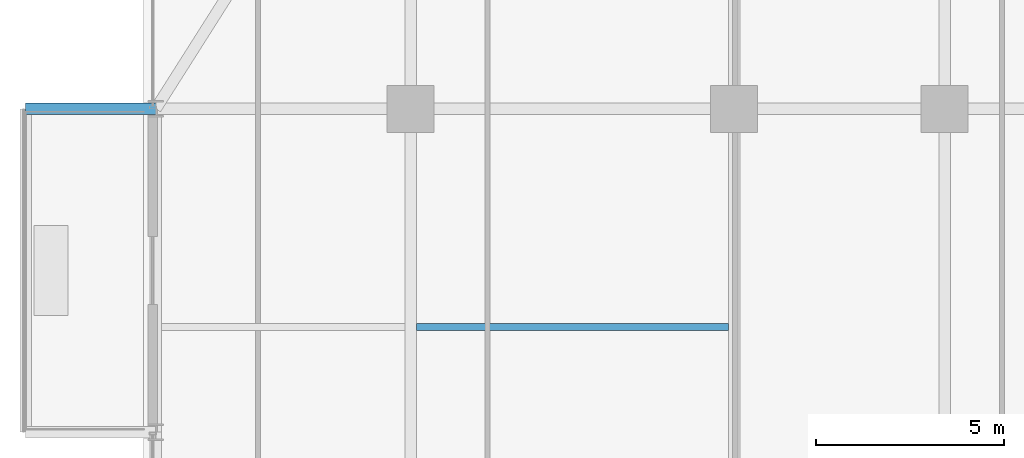
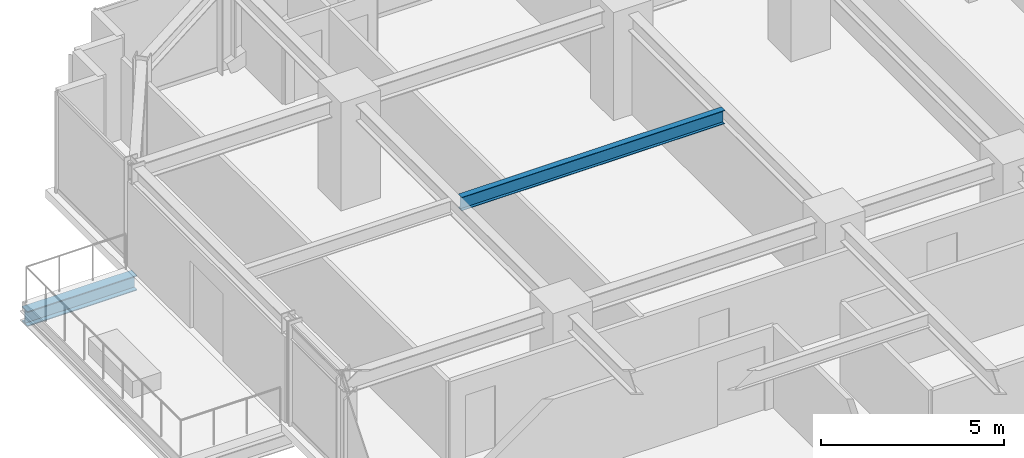
# One storey, part 17 of 39: 2 beams.
"""IFC4 building model written with IfcOpenShell, lengths in metres."""

from ifc_helpers import new_model, si_unit, direction, frame, origin, origin_2d, place, context, subcontext, project, spatial, i_section, extrude, source, transform, mapped, material, material_profile, profile_set, type_object, element, save


model = new_model("IFC4")

# Units and contexts
model_context = context("Model", 3, precision=1e-05, world=origin(), true_north=direction((0.0, 1.0)))
body_context = subcontext(model_context, "Body", "Model", "MODEL_VIEW")
ifc_project = project(units=[si_unit("LENGTHUNIT", "METRE"), si_unit("AREAUNIT", "SQUARE_METRE"), si_unit("VOLUMEUNIT", "CUBIC_METRE"), si_unit("PLANEANGLEUNIT", "RADIAN"), si_unit("MASSUNIT", "GRAM", prefix="KILO")], contexts=[model_context])

# Site, building, storey
site_placement = place(None, origin())
site = spatial("IfcSite", under=ifc_project, at=site_placement, CompositionType="ELEMENT")
building_placement = place(site_placement, origin())
building = spatial("IfcBuilding", under=site, at=building_placement, Name="Nahalor Promenade Grand Hotel", CompositionType="ELEMENT")
storey_placement = place(building_placement, frame((0.0, 0.0, 135.75)))
storey = spatial("IfcBuildingStorey", under=building, at=storey_placement, Name="L34", CompositionType="ELEMENT", Elevation=135.75)

# Beams
ifc_material = material(Name="Steel S355JR", Category="steel")
ifc_material_profile_1 = material_profile(ifc_material, i_section(OverallWidth=0.3, OverallDepth=0.5, WebThickness=0.0145, FlangeThickness=0.028, at=origin_2d()), Name="HEB 500")
ifc_profile_set_1 = profile_set([ifc_material_profile_1], Name="Steel S355JR")
beam_type_1 = type_object("IfcBeamType", Name="Beam-Outrigger-HEB500", PredefinedType="BEAM", material=ifc_profile_set_1)
shared_shape_1 = source(origin(), body_context, "Body", "SweptSolid", [
    extrude(i_section(OverallWidth=0.3, OverallDepth=0.5, WebThickness=0.0145, FlangeThickness=0.028, at=origin_2d()), origin(), (0.0, 0.0, 1.0), 3.4599609375),
])
beam_1_placement = place(storey_placement, frame((-27.239990234375, 17.0, -0.530029296875), z_axis=(1.0, 0.0, 0.0), x_axis=(0.0, 1.0, 0.0)))
element("IfcBeam", 1, at=beam_1_placement, inside=storey, type_object=beam_type_1, Name="BM-L34-BC-02-2", PredefinedType="BEAM", context=body_context, shape_type="MappedRepresentation", body=[
    mapped(shared_shape_1, transform((0.0, 0.0, 0.0), scale=1.0)),
])
ifc_material_profile_2 = material_profile(ifc_material, i_section(OverallWidth=0.19, OverallDepth=0.45, WebThickness=0.0094, FlangeThickness=0.0146, at=origin_2d()), Name="IPE 450")
ifc_profile_set_2 = profile_set([ifc_material_profile_2], Name="Steel S355JR")
beam_type_2 = type_object("IfcBeamType", Name="Beam-Joist-IPE450", PredefinedType="JOIST", material=ifc_profile_set_2)
shared_shape_2 = source(origin(), body_context, "Body", "SweptSolid", [
    extrude(i_section(OverallWidth=0.19, OverallDepth=0.45, WebThickness=0.0094, FlangeThickness=0.0146, at=origin_2d()), origin(), (0.0, 0.0, 1.0), 8.300048828125),
])
beam_2_placement = place(storey_placement, frame((-16.85009765625, 11.199951171875, 3.155029296875), z_axis=(1.0, 0.0, 0.0), x_axis=(0.0, 1.0, 0.0)))
element("IfcBeam", 2, at=beam_2_placement, inside=storey, type_object=beam_type_2, Name="BM-L34-JSW-1-1", PredefinedType="JOIST", context=body_context, shape_type="MappedRepresentation", body=[
    mapped(shared_shape_2, transform((0.0, 0.0, 0.0), scale=1.0)),
])

save(model, "model.ifc")
